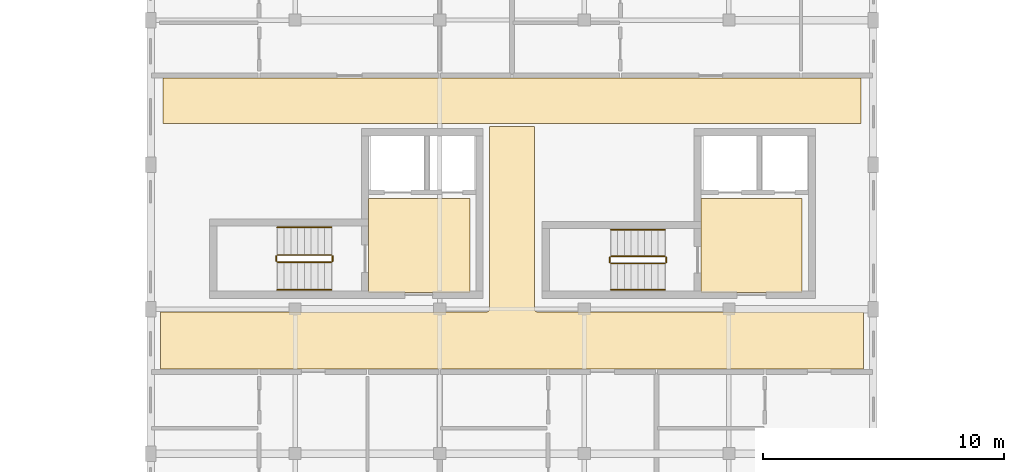
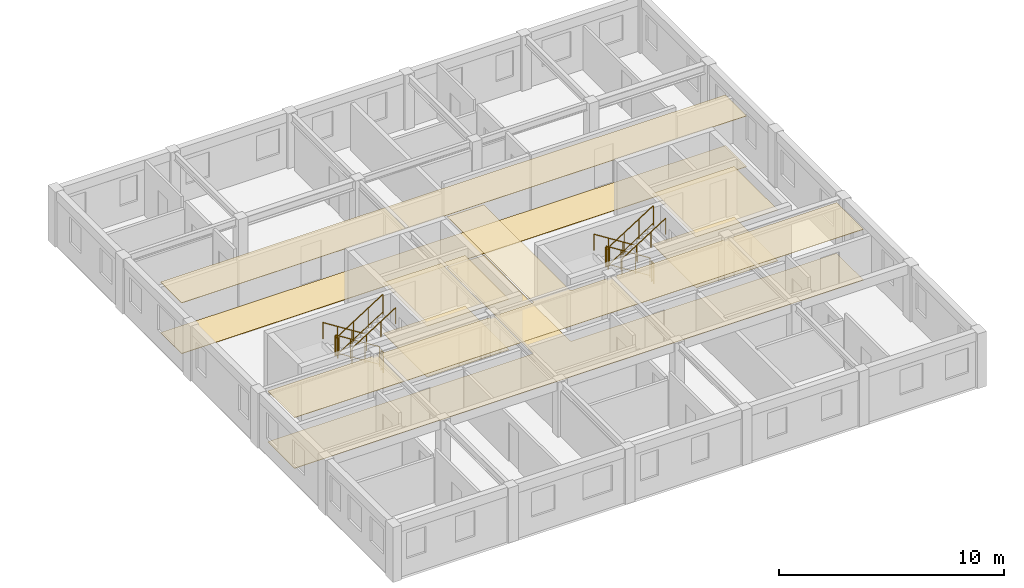
# One storey, part 21 of 23: 12 railings, 8 coverings.
"""IFC4 building model written with IfcOpenShell, lengths in metres."""

import ifcopenshell
import ifcopenshell.guid

model = None  # the IFC model being written
_history = None  # IfcOwnerHistory: only IFC2X3 demands one
_inside = {}  # id of a spatial element -> (the spatial element, [elements in it])
_under = {}  # id of a project, library or spatial element -> (it, [spatial elements below it])
_declared = {}  # id of a project -> (the project, [libraries it declares])
_typed = {}  # id of a type object -> (the type object, [elements of that type])
_made_of = {}  # id of a material, layer set ... -> (it, [elements and type objects made of it])


def new_model(schema):
    """Start an empty IFC model of exactly this schema.

    Asked for "IFC4X3", IfcOpenShell would pick the latest addendum, in which some entities
    have other attributes; the version numbers below select the first issue.
    IFC2X3 requires an IfcOwnerHistory on every rooted entity: one is made here for all.
    """
    global model, _history
    if schema == "IFC4X3":
        model = ifcopenshell.file(schema_version=(4, 3, 0, 0))
    else:
        model = ifcopenshell.file(schema=schema)
    _inside.clear()
    _under.clear()
    _declared.clear()
    _typed.clear()
    _made_of.clear()
    _history = None
    if model.schema == "IFC2X3":
        org = make("IfcOrganization", Name="unknown")
        user = make(
            "IfcPersonAndOrganization",
            ThePerson=make("IfcPerson", FamilyName="unknown"),
            TheOrganization=org,
        )
        app = make(
            "IfcApplication",
            ApplicationDeveloper=org,
            Version="unknown",
            ApplicationFullName="unknown",
            ApplicationIdentifier="unknown",
        )
        _history = make(
            "IfcOwnerHistory",
            OwningUser=user,
            OwningApplication=app,
            ChangeAction="ADDED",
            CreationDate=0,
        )
    return model


def make(cls, **values):
    """One entity of the class cls with the attributes given. An attribute that is None is left unset."""
    return model.create_entity(
        cls, **{name: value for name, value in values.items() if value is not None}
    )


def rooted(cls, **values):
    """An entity with a GlobalId (a new one), such as an element, a storey or a relation."""
    return make(cls, GlobalId=ifcopenshell.guid.new(), OwnerHistory=_history, **values)


def si_unit(unit_type, name, prefix=None):
    """IfcSIUnit, for example si_unit("LENGTHUNIT", "METRE", prefix="MILLI")."""
    return make("IfcSIUnit", UnitType=unit_type, Prefix=prefix, Name=name)


def assignment(units):
    """IfcUnitAssignment: the units of a project."""
    return None if units is None else make("IfcUnitAssignment", Units=units)


def point(xyz):
    """IfcCartesianPoint."""
    return None if xyz is None else make("IfcCartesianPoint", Coordinates=xyz)


def direction(xyz):
    """IfcDirection."""
    return None if xyz is None else make("IfcDirection", DirectionRatios=xyz)


def frame(location, z_axis=None, x_axis=None):
    """IfcAxis2Placement3D, a coordinate frame: its origin and axes. An axis left out is left unset."""
    return make(
        "IfcAxis2Placement3D",
        Location=point(location),
        Axis=direction(z_axis),
        RefDirection=direction(x_axis),
    )


def frame_2d(location, x_axis=None):
    """IfcAxis2Placement2D, a coordinate frame in the plane: its origin and x axis."""
    return make(
        "IfcAxis2Placement2D", Location=point(location), RefDirection=direction(x_axis)
    )


def origin():
    """The frame at (0, 0, 0) with its axes left unset."""
    return frame((0.0, 0.0, 0.0))


def origin_2d():
    """The frame at (0, 0) in the plane with its x axis left unset."""
    return frame_2d((0.0, 0.0))


def place(relative_to, where):
    """IfcLocalPlacement: puts the frame where relative to a parent placement (None: the world)."""
    return make(
        "IfcLocalPlacement", PlacementRelTo=relative_to, RelativePlacement=where
    )


def context(
    kind, dimensions, precision=None, world=None, true_north=None, identifier=None
):
    """IfcGeometricRepresentationContext, for example the 3D "Model" context."""
    return make(
        "IfcGeometricRepresentationContext",
        ContextIdentifier=identifier,
        ContextType=kind,
        CoordinateSpaceDimension=dimensions,
        Precision=precision,
        WorldCoordinateSystem=world,
        TrueNorth=true_north,
    )


def subcontext(parent, identifier, kind, view, scale=None):
    """IfcGeometricRepresentationSubContext, for example "Body" below "Model"."""
    return make(
        "IfcGeometricRepresentationSubContext",
        ContextIdentifier=identifier,
        ContextType=kind,
        ParentContext=parent,
        TargetScale=scale,
        TargetView=view,
    )


def project(units=None, contexts=None):
    """IfcProject with its units and contexts."""
    return rooted(
        "IfcProject",
        Name="project",
        RepresentationContexts=contexts,
        UnitsInContext=assignment(units),
    )


def spatial(cls, under=None, at=None, **own):
    """A site, building, storey or space (cls), placed at a placement, below another one or the project."""
    s = rooted(cls, ObjectPlacement=at, **own)
    if under is not None:
        _under.setdefault(under.id(), (under, []))[1].append(s)
    return s


def polyline(points):
    """IfcPolyline through the points."""
    return make("IfcPolyline", Points=[point(p) for p in points])


def profile(cls, at=None, kind="AREA", **sizes):
    """A parametric profile (cls). Its sizes go by their IFC names, for example OverallWidth=200.0."""
    return make(cls, ProfileType=kind, Position=at, **sizes)


def circle(**sizes):
    """IfcCircleProfileDef."""
    return profile("IfcCircleProfileDef", **sizes)


def outline(outer, holes=None, kind="AREA"):
    """IfcArbitraryClosedProfileDef: a profile drawn as a closed curve; with holes, ...WithVoids."""
    if holes is None:
        return make("IfcArbitraryClosedProfileDef", ProfileType=kind, OuterCurve=outer)
    return make(
        "IfcArbitraryProfileDefWithVoids",
        ProfileType=kind,
        OuterCurve=outer,
        InnerCurves=holes,
    )


def extrude(swept, where, along, depth):
    """IfcExtrudedAreaSolid: the profile swept, set in the frame where, extruded along a direction by depth."""
    return make(
        "IfcExtrudedAreaSolid",
        SweptArea=swept,
        Position=where,
        ExtrudedDirection=direction(along),
        Depth=depth,
    )


def shape(context_of_items, identifier, shape_type, items):
    """IfcShapeRepresentation: the items that make up one representation, for example the "Body"."""
    return make(
        "IfcShapeRepresentation",
        ContextOfItems=context_of_items,
        RepresentationIdentifier=identifier,
        RepresentationType=shape_type,
        Items=items,
    )


def material(Name=None, Category=None):
    """IfcMaterial."""
    return make("IfcMaterial", Name=Name, Category=Category)


def layer(
    of_material, thickness, ventilated=None, Name=None, Category=None, Priority=None
):
    """IfcMaterialLayer: one layer of a wall or slab, of a material (None: an air gap)."""
    return make(
        "IfcMaterialLayer",
        Material=of_material,
        LayerThickness=thickness,
        IsVentilated=ventilated,
        Name=Name,
        Category=Category,
        Priority=Priority,
    )


def layer_set(layers, Name=None):
    """IfcMaterialLayerSet."""
    return make("IfcMaterialLayerSet", MaterialLayers=layers, LayerSetName=Name)


def made_of(thing, what):
    """Note that an element or type object is made of a material, layer set ...; save() writes the relation."""
    if what is not None:
        _made_of.setdefault(what.id(), (what, []))[1].append(thing)
    return thing


def type_object(cls, material=None, **own):
    """A type object (cls), such as IfcWallType, which elements share."""
    return made_of(rooted(cls, **own), material)


def element(
    cls,
    number,
    at=None,
    inside=None,
    cuts=None,
    type_object=None,
    material=None,
    context=None,
    identifier="Body",
    shape_type=None,
    held_by="IfcProductDefinitionShape",
    body=None,
    shapes=None,
    **own,
):
    """One element of the class cls, such as IfcWall. Its Tag is "e" and its number.

    at: its placement. inside: the storey or other place that contains it. cuts: it is an
    opening in that element (IfcRelVoidsElement). A single representation is given by context,
    identifier, shape_type and body (its items); several are given by shapes. held_by: the class
    of the entity that holds the representations. save() writes the other relations.
    """
    e = rooted(cls, Tag="e%d" % number, ObjectPlacement=at, **own)
    if body is not None:
        shapes = [shape(context, identifier, shape_type, body)]
    if shapes is not None:
        e.Representation = make(held_by, Representations=shapes)
    if inside is not None:
        _inside.setdefault(inside.id(), (inside, []))[1].append(e)
    if cuts is not None:
        rooted(
            "IfcRelVoidsElement", RelatingBuildingElement=cuts, RelatedOpeningElement=e
        )
    if type_object is not None:
        _typed.setdefault(type_object.id(), (type_object, []))[1].append(e)
    return made_of(e, material)


def aggregate(whole, parts):
    """IfcRelAggregates: a whole, such as a stair, and the parts it consists of."""
    return rooted("IfcRelAggregates", RelatingObject=whole, RelatedObjects=parts)


def save(model, path):
    """Write the relations noted so far, then the file.

    IfcRelAggregates (storeys below a building ...), IfcRelContainedInSpatialStructure (elements
    in a storey), IfcRelDefinesByType, IfcRelAssociatesMaterial and IfcRelDeclares: one each for
    every whole, place, type object, material and project.
    """
    for whole, parts in _under.values():
        aggregate(whole, parts)
    for where, things in _inside.values():
        rooted(
            "IfcRelContainedInSpatialStructure",
            RelatedElements=things,
            RelatingStructure=where,
        )
    for kind, things in _typed.values():
        rooted("IfcRelDefinesByType", RelatedObjects=things, RelatingType=kind)
    for what, things in _made_of.values():
        rooted("IfcRelAssociatesMaterial", RelatedObjects=things, RelatingMaterial=what)
    for by, libraries in _declared.values():
        rooted("IfcRelDeclares", RelatingContext=by, RelatedDefinitions=libraries)
    model.write(path)


model = new_model("IFC4")

# Units and contexts
model_context = context("Model", 3, precision=1e-05, world=origin(), true_north=direction((0.0, 1.0)))
body_context = subcontext(model_context, "Body", "Model", "MODEL_VIEW")
ifc_project = project(units=[si_unit("LENGTHUNIT", "METRE"), si_unit("AREAUNIT", "SQUARE_METRE"), si_unit("VOLUMEUNIT", "CUBIC_METRE"), si_unit("PLANEANGLEUNIT", "RADIAN"), si_unit("MASSUNIT", "GRAM", prefix="KILO"), si_unit("POWERUNIT", "WATT"), si_unit("THERMODYNAMICTEMPERATUREUNIT", "KELVIN")], contexts=[model_context])

# Site, building, storey
site_placement = place(None, origin())
site = spatial("IfcSite", under=ifc_project, at=site_placement, CompositionType="ELEMENT")
building_placement = place(site_placement, origin())
building = spatial("IfcBuilding", under=site, at=building_placement, Name="Ruvembo Vaulted Housing Court", CompositionType="ELEMENT")
storey_placement = place(building_placement, frame((0.0, 0.0, 26.89990234375)))
storey = spatial("IfcBuildingStorey", under=building, at=storey_placement, Name="L08", CompositionType="ELEMENT", Elevation=26.89990234375)

# Coverings
ifc_material_1 = material(Name="Perforated Mineral-Fibre Acoustic Tile", Category="gypsum")
ifc_layer_1 = layer(ifc_material_1, 0.02001953125, Name="Perforated Mineral-Fibre Acoustic Tile")
ifc_layer_set_1 = layer_set([ifc_layer_1], Name="Perforated Mineral-Fibre Acoustic Tile")
covering_type_1 = type_object("IfcCoveringType", Name="COV-CEIL-ACOUST", PredefinedType="CEILING", material=ifc_layer_set_1)
covering_1_placement = place(storey_placement, frame((0.0, 0.0, 2.75)))
element("IfcCovering", 1, at=covering_1_placement, inside=storey, type_object=covering_type_1, Name="Protected Core Lobby C1 Ceiling", PredefinedType="CEILING", context=body_context, shape_type="SweptSolid", body=[
    extrude(outline(polyline([(115.25, 16.60009765625), (111.050048828125, 16.60009765625), (111.050048828125, 12.699951171875), (115.25, 12.699951171875), (115.25, 16.60009765625)])), origin(), (0.0, 0.0, 1.0), 0.02001953125),
])
covering_2_placement = place(storey_placement, frame((0.0, 0.0, 2.75)))
element("IfcCovering", 2, at=covering_2_placement, inside=storey, type_object=covering_type_1, Name="Protected Core Lobby C2 Ceiling", PredefinedType="CEILING", context=body_context, shape_type="SweptSolid", body=[
    extrude(outline(polyline([(129.050048828125, 16.60009765625), (124.85009765625, 16.60009765625), (124.85009765625, 12.699951171875), (129.050048828125, 12.699951171875), (129.050048828125, 16.60009765625)])), origin(), (0.0, 0.0, 1.0), 0.02001953125),
])
covering_3_placement = place(storey_placement, frame((0.0, 0.0, 2.75)))
element("IfcCovering", 3, at=covering_3_placement, inside=storey, type_object=covering_type_1, Name="Block C L08 Corridor Ceiling", PredefinedType="CEILING", context=body_context, shape_type="SweptSolid", body=[
    extrude(outline(polyline([(131.590087890625, 9.510009765625), (131.590087890625, 11.889892578125), (118.050048828125, 11.889892578125), (118.039306640625, 11.890380859375), (118.028564453125, 11.89208984375), (118.01806640625, 11.894775390625), (118.0078125, 11.8984375), (117.998046875, 11.903076171875), (117.989013671875, 11.908447265625), (117.980224609375, 11.9150390625), (117.97216796875, 11.922119140625), (117.965087890625, 11.93017578125), (117.95849609375, 11.93896484375), (117.952880859375, 11.947998046875), (117.948486328125, 11.9580078125), (117.944580078125, 11.968017578125), (117.942138671875, 11.978515625), (117.9404296875, 11.9892578125), (117.93994140625, 12.0), (117.93994140625, 19.590087890625), (116.06005859375, 19.590087890625), (116.06005859375, 12.0), (116.0595703125, 11.9892578125), (116.057861328125, 11.978515625), (116.055419921875, 11.968017578125), (116.051513671875, 11.9580078125), (116.047119140625, 11.947998046875), (116.04150390625, 11.93896484375), (116.034912109375, 11.93017578125), (116.02783203125, 11.922119140625), (116.019775390625, 11.9150390625), (116.010986328125, 11.908447265625), (116.001953125, 11.903076171875), (115.9921875, 11.8984375), (115.98193359375, 11.894775390625), (115.971435546875, 11.89208984375), (115.960693359375, 11.890380859375), (115.949951171875, 11.889892578125), (102.409912109375, 11.889892578125), (102.409912109375, 9.510009765625), (131.590087890625, 9.510009765625)])), origin(), (0.0, 0.0, 1.0), 0.02001953125),
])
covering_4_placement = place(storey_placement, frame((0.0, 0.0, 2.75)))
element("IfcCovering", 4, at=covering_4_placement, inside=storey, type_object=covering_type_1, Name="Block C L08 North Sub-Corridor Ceiling", PredefinedType="CEILING", context=body_context, shape_type="SweptSolid", body=[
    extrude(outline(polyline([(102.510009765625, 19.7099609375), (131.489990234375, 19.7099609375), (131.489990234375, 21.590087890625), (102.510009765625, 21.590087890625), (102.510009765625, 19.7099609375)])), origin(), (0.0, 0.0, 1.0), 0.02001953125),
])
ifc_material_2 = material(Name="Polished Cement-Aggregate Terrazzo", Category="stone")
ifc_layer_2 = layer(ifc_material_2, 0.02197265625, Name="Polished Cement-Aggregate Terrazzo")
ifc_layer_set_2 = layer_set([ifc_layer_2], Name="Polished Cement-Aggregate Terrazzo")
covering_type_2 = type_object("IfcCoveringType", Name="COV-FLR-CERAMIC", PredefinedType="FLOORING", material=ifc_layer_set_2)
covering_5_placement = place(storey_placement, origin())
element("IfcCovering", 5, at=covering_5_placement, inside=storey, type_object=covering_type_2, Name="Protected Core Lobby C1 Flooring", PredefinedType="FLOORING", context=body_context, shape_type="SweptSolid", body=[
    extrude(outline(polyline([(115.25, 16.60009765625), (111.050048828125, 16.60009765625), (111.050048828125, 12.699951171875), (115.25, 12.699951171875), (115.25, 16.60009765625)])), origin(), (0.0, 0.0, 1.0), 0.022216796875),
])
covering_6_placement = place(storey_placement, origin())
element("IfcCovering", 6, at=covering_6_placement, inside=storey, type_object=covering_type_2, Name="Protected Core Lobby C2 Flooring", PredefinedType="FLOORING", context=body_context, shape_type="SweptSolid", body=[
    extrude(outline(polyline([(129.050048828125, 16.60009765625), (124.85009765625, 16.60009765625), (124.85009765625, 12.699951171875), (129.050048828125, 12.699951171875), (129.050048828125, 16.60009765625)])), origin(), (0.0, 0.0, 1.0), 0.022216796875),
])
covering_7_placement = place(storey_placement, origin())
element("IfcCovering", 7, at=covering_7_placement, inside=storey, type_object=covering_type_2, Name="Block C L08 Corridor Flooring", PredefinedType="FLOORING", context=body_context, shape_type="SweptSolid", body=[
    extrude(outline(polyline([(131.590087890625, 9.510009765625), (131.590087890625, 11.889892578125), (118.050048828125, 11.889892578125), (118.039306640625, 11.890380859375), (118.028564453125, 11.89208984375), (118.01806640625, 11.894775390625), (118.0078125, 11.8984375), (117.998046875, 11.903076171875), (117.989013671875, 11.908447265625), (117.980224609375, 11.9150390625), (117.97216796875, 11.922119140625), (117.965087890625, 11.93017578125), (117.95849609375, 11.93896484375), (117.952880859375, 11.947998046875), (117.948486328125, 11.9580078125), (117.944580078125, 11.968017578125), (117.942138671875, 11.978515625), (117.9404296875, 11.9892578125), (117.93994140625, 12.0), (117.93994140625, 19.590087890625), (116.06005859375, 19.590087890625), (116.06005859375, 12.0), (116.0595703125, 11.9892578125), (116.057861328125, 11.978515625), (116.055419921875, 11.968017578125), (116.051513671875, 11.9580078125), (116.047119140625, 11.947998046875), (116.04150390625, 11.93896484375), (116.034912109375, 11.93017578125), (116.02783203125, 11.922119140625), (116.019775390625, 11.9150390625), (116.010986328125, 11.908447265625), (116.001953125, 11.903076171875), (115.9921875, 11.8984375), (115.98193359375, 11.894775390625), (115.971435546875, 11.89208984375), (115.960693359375, 11.890380859375), (115.949951171875, 11.889892578125), (102.409912109375, 11.889892578125), (102.409912109375, 9.510009765625), (131.590087890625, 9.510009765625)])), origin(), (0.0, 0.0, 1.0), 0.022216796875),
])
covering_8_placement = place(storey_placement, origin())
element("IfcCovering", 8, at=covering_8_placement, inside=storey, type_object=covering_type_2, Name="Block C L08 North Sub-Corridor Flooring", PredefinedType="FLOORING", context=body_context, shape_type="SweptSolid", body=[
    extrude(outline(polyline([(102.510009765625, 19.7099609375), (131.489990234375, 19.7099609375), (131.489990234375, 21.590087890625), (102.510009765625, 21.590087890625), (102.510009765625, 19.7099609375)])), origin(), (0.0, 0.0, 1.0), 0.022216796875),
])

# Railings
ifc_material_3 = material(Name="Painted Galvanised Steel S275", Category="steel")
ifc_layer_3 = layer(ifc_material_3, 0.06005859375, Name="Painted Galvanised Steel S275")
ifc_layer_set_3 = layer_set([ifc_layer_3], Name="Painted Galvanised Steel S275")
railing_type_1 = type_object("IfcRailingType", Name="RL-STAIR-GR1100", PredefinedType="GUARDRAIL", material=ifc_layer_set_3)
railing_1_placement = place(storey_placement, frame((109.5, 14.25, 0.177978515625)))
element("IfcRailing", 9, at=railing_1_placement, inside=storey, type_object=railing_type_1, Name="L08 ST-C1 stair guard 1", PredefinedType="GUARDRAIL", context=body_context, shape_type="SweptSolid", body=[
    extrude(circle(Radius=0.02392578125, at=origin_2d()), frame((0.0, 0.0, 1.076171875), z_axis=(-0.8442293374, 0.0, 0.53598211339), x_axis=(0.0, -1.0, 0.0)), (0.0, 0.0, 1.0), 2.6533203125),
    extrude(circle(Radius=0.01806640625, at=origin_2d()), frame((0.0, 0.0, 0.1201171875), z_axis=(-0.8442293374, 0.0, 0.53598211339), x_axis=(0.0, -1.0, 0.0)), (0.0, 0.0, 1.0), 2.6533203125),
    extrude(circle(Radius=0.02099609375, at=origin_2d()), origin(), (0.0, 0.0, 1.0), 1.052001953125),
    extrude(circle(Radius=0.02099609375, at=origin_2d()), frame((-0.74658203125, 0.0, 0.47412109375)), (0.0, 0.0, 1.0), 1.052001953125),
    extrude(circle(Radius=0.02099609375, at=origin_2d()), frame((-1.493408203125, 0.0, 0.947998046875)), (0.0, 0.0, 1.0), 1.052001953125),
    extrude(circle(Radius=0.02099609375, at=origin_2d()), frame((-2.239990234375, 0.0, 1.422119140625)), (0.0, 0.0, 1.0), 1.052001953125),
])
railing_2_placement = place(storey_placement, frame((107.2099609375, 14.199951171875, 1.60009765625)))
element("IfcRailing", 10, at=railing_2_placement, inside=storey, type_object=railing_type_1, Name="L08 ST-C1 stair guard 2", PredefinedType="GUARDRAIL", context=body_context, shape_type="SweptSolid", body=[
    extrude(circle(Radius=0.02392578125, at=origin_2d()), frame((0.0, 0.0, 1.076171875), z_axis=(0.0, -1.0, 0.0), x_axis=(1.0, 0.0, 0.0)), (0.0, 0.0, 1.0), 0.199951171875),
    extrude(circle(Radius=0.01806640625, at=origin_2d()), frame((0.0, 0.0, 0.1201171875), z_axis=(0.0, -1.0, 0.0), x_axis=(1.0, 0.0, 0.0)), (0.0, 0.0, 1.0), 0.199951171875),
    extrude(circle(Radius=0.02099609375, at=origin_2d()), origin(), (0.0, 0.0, 1.0), 1.052001953125),
    extrude(circle(Radius=0.02099609375, at=origin_2d()), frame((0.0, -0.199951171875, 0.0)), (0.0, 0.0, 1.0), 1.052001953125),
])
railing_3_placement = place(storey_placement, frame((107.260009765625, 13.949951171875, 1.77783203125)))
element("IfcRailing", 11, at=railing_3_placement, inside=storey, type_object=railing_type_1, Name="L08 ST-C1 stair guard 3", PredefinedType="GUARDRAIL", context=body_context, shape_type="SweptSolid", body=[
    extrude(circle(Radius=0.02392578125, at=origin_2d()), frame((0.0, 0.0, 1.076171875), z_axis=(0.84418770128, 0.0, 0.536047689118), x_axis=(0.0, 1.0, 0.0)), (0.0, 0.0, 1.0), 2.6533203125),
    extrude(circle(Radius=0.01806640625, at=origin_2d()), frame((0.0, 0.0, 0.1201171875), z_axis=(0.84418770128, 0.0, 0.536047689118), x_axis=(0.0, 1.0, 0.0)), (0.0, 0.0, 1.0), 2.6533203125),
    extrude(circle(Radius=0.02099609375, at=origin_2d()), origin(), (0.0, 0.0, 1.0), 1.052001953125),
    extrude(circle(Radius=0.02099609375, at=origin_2d()), frame((0.74658203125, 0.0, 0.47412109375)), (0.0, 0.0, 1.0), 1.052001953125),
    extrude(circle(Radius=0.02099609375, at=origin_2d()), frame((1.493408203125, 0.0, 0.9482421875)), (0.0, 0.0, 1.0), 1.052001953125),
    extrude(circle(Radius=0.02099609375, at=origin_2d()), frame((2.239990234375, 0.0, 1.42236328125)), (0.0, 0.0, 1.0), 1.052001953125),
])
railing_4_placement = place(storey_placement, frame((109.550048828125, 14.199951171875, 0.0)))
element("IfcRailing", 12, at=railing_4_placement, inside=storey, type_object=railing_type_1, Name="L08 ST-C1 stair guard 4", PredefinedType="GUARDRAIL", context=body_context, shape_type="SweptSolid", body=[
    extrude(circle(Radius=0.02392578125, at=origin_2d()), frame((0.0, 0.0, 1.076171875), z_axis=(0.0, -1.0, 0.0), x_axis=(1.0, 0.0, 0.0)), (0.0, 0.0, 1.0), 0.199951171875),
    extrude(circle(Radius=0.01806640625, at=origin_2d()), frame((0.0, 0.0, 0.1201171875), z_axis=(0.0, -1.0, 0.0), x_axis=(1.0, 0.0, 0.0)), (0.0, 0.0, 1.0), 0.199951171875),
    extrude(circle(Radius=0.02099609375, at=origin_2d()), origin(), (0.0, 0.0, 1.0), 1.052001953125),
    extrude(circle(Radius=0.02099609375, at=origin_2d()), frame((0.0, -0.199951171875, 0.0)), (0.0, 0.0, 1.0), 1.052001953125),
])
railing_5_placement = place(storey_placement, frame((123.35009765625, 14.199951171875, 0.177978515625)))
element("IfcRailing", 13, at=railing_5_placement, inside=storey, type_object=railing_type_1, Name="L08 ST-C2 stair guard 1", PredefinedType="GUARDRAIL", context=body_context, shape_type="SweptSolid", body=[
    extrude(circle(Radius=0.02392578125, at=origin_2d()), frame((0.0, 0.0, 1.076171875), z_axis=(-0.8442293374, 0.0, 0.53598211339), x_axis=(0.0, -1.0, 0.0)), (0.0, 0.0, 1.0), 2.6533203125),
    extrude(circle(Radius=0.01806640625, at=origin_2d()), frame((0.0, 0.0, 0.1201171875), z_axis=(-0.8442293374, 0.0, 0.53598211339), x_axis=(0.0, -1.0, 0.0)), (0.0, 0.0, 1.0), 2.6533203125),
    extrude(circle(Radius=0.02099609375, at=origin_2d()), origin(), (0.0, 0.0, 1.0), 1.052001953125),
    extrude(circle(Radius=0.02099609375, at=origin_2d()), frame((-0.74658203125, 0.0, 0.47412109375)), (0.0, 0.0, 1.0), 1.052001953125),
    extrude(circle(Radius=0.02099609375, at=origin_2d()), frame((-1.493408203125, 0.0, 0.947998046875)), (0.0, 0.0, 1.0), 1.052001953125),
    extrude(circle(Radius=0.02099609375, at=origin_2d()), frame((-2.239990234375, 0.0, 1.422119140625)), (0.0, 0.0, 1.0), 1.052001953125),
])
railing_6_placement = place(storey_placement, frame((121.06005859375, 14.14990234375, 1.60009765625)))
element("IfcRailing", 14, at=railing_6_placement, inside=storey, type_object=railing_type_1, Name="L08 ST-C2 stair guard 2", PredefinedType="GUARDRAIL", context=body_context, shape_type="SweptSolid", body=[
    extrude(circle(Radius=0.02392578125, at=origin_2d()), frame((0.0, 0.0, 1.076171875), z_axis=(0.0, -1.0, 0.0), x_axis=(1.0, 0.0, 0.0)), (0.0, 0.0, 1.0), 0.199951171875),
    extrude(circle(Radius=0.01806640625, at=origin_2d()), frame((0.0, 0.0, 0.1201171875), z_axis=(0.0, -1.0, 0.0), x_axis=(1.0, 0.0, 0.0)), (0.0, 0.0, 1.0), 0.199951171875),
    extrude(circle(Radius=0.02099609375, at=origin_2d()), origin(), (0.0, 0.0, 1.0), 1.052001953125),
    extrude(circle(Radius=0.02099609375, at=origin_2d()), frame((0.0, -0.199951171875, 0.0)), (0.0, 0.0, 1.0), 1.052001953125),
])
railing_7_placement = place(storey_placement, frame((121.110107421875, 13.89990234375, 1.77783203125)))
element("IfcRailing", 15, at=railing_7_placement, inside=storey, type_object=railing_type_1, Name="L08 ST-C2 stair guard 3", PredefinedType="GUARDRAIL", context=body_context, shape_type="SweptSolid", body=[
    extrude(circle(Radius=0.02392578125, at=origin_2d()), frame((0.0, 0.0, 1.076171875), z_axis=(0.84418770128, 0.0, 0.536047689118), x_axis=(0.0, 1.0, 0.0)), (0.0, 0.0, 1.0), 2.6533203125),
    extrude(circle(Radius=0.01806640625, at=origin_2d()), frame((0.0, 0.0, 0.1201171875), z_axis=(0.84418770128, 0.0, 0.536047689118), x_axis=(0.0, 1.0, 0.0)), (0.0, 0.0, 1.0), 2.6533203125),
    extrude(circle(Radius=0.02099609375, at=origin_2d()), origin(), (0.0, 0.0, 1.0), 1.052001953125),
    extrude(circle(Radius=0.02099609375, at=origin_2d()), frame((0.74658203125, 0.0, 0.47412109375)), (0.0, 0.0, 1.0), 1.052001953125),
    extrude(circle(Radius=0.02099609375, at=origin_2d()), frame((1.493408203125, 0.0, 0.9482421875)), (0.0, 0.0, 1.0), 1.052001953125),
    extrude(circle(Radius=0.02099609375, at=origin_2d()), frame((2.239990234375, 0.0, 1.42236328125)), (0.0, 0.0, 1.0), 1.052001953125),
])
railing_8_placement = place(storey_placement, frame((123.39990234375, 14.14990234375, 0.0)))
element("IfcRailing", 16, at=railing_8_placement, inside=storey, type_object=railing_type_1, Name="L08 ST-C2 stair guard 4", PredefinedType="GUARDRAIL", context=body_context, shape_type="SweptSolid", body=[
    extrude(circle(Radius=0.02392578125, at=origin_2d()), frame((0.0, 0.0, 1.076171875), z_axis=(0.0, -1.0, 0.0), x_axis=(1.0, 0.0, 0.0)), (0.0, 0.0, 1.0), 0.199951171875),
    extrude(circle(Radius=0.01806640625, at=origin_2d()), frame((0.0, 0.0, 0.1201171875), z_axis=(0.0, -1.0, 0.0), x_axis=(1.0, 0.0, 0.0)), (0.0, 0.0, 1.0), 0.199951171875),
    extrude(circle(Radius=0.02099609375, at=origin_2d()), origin(), (0.0, 0.0, 1.0), 1.052001953125),
    extrude(circle(Radius=0.02099609375, at=origin_2d()), frame((0.0, -0.199951171875, 0.0)), (0.0, 0.0, 1.0), 1.052001953125),
])
ifc_material_4 = material(Name="Brushed Stainless Steel 304", Category="steel")
ifc_layer_4 = layer(ifc_material_4, 0.050048828125, Name="Brushed Stainless Steel 304")
ifc_layer_set_4 = layer_set([ifc_layer_4], Name="Brushed Stainless Steel 304")
railing_type_2 = type_object("IfcRailingType", Name="RL-STAIR-HR920", PredefinedType="HANDRAIL", material=ifc_layer_set_4)
railing_9_placement = place(storey_placement, frame((109.5, 15.39990234375, 0.359375)))
element("IfcRailing", 17, at=railing_9_placement, inside=storey, type_object=railing_type_2, Name="L08 ST-C1 stair handrail 1", PredefinedType="HANDRAIL", context=body_context, shape_type="SweptSolid", body=[
    extrude(circle(Radius=0.02392578125, at=origin_2d()), frame((0.0, 0.0, 0.8759765625), z_axis=(-0.8442293374, 0.0, 0.53598211339), x_axis=(0.0, -1.0, 0.0)), (0.0, 0.0, 1.0), 2.6533203125),
    extrude(circle(Radius=0.02099609375, at=origin_2d()), origin(), (0.0, 0.0, 1.0), 0.851806640625),
    extrude(circle(Radius=0.02099609375, at=origin_2d()), frame((-0.74658203125, 0.0, 0.47412109375)), (0.0, 0.0, 1.0), 0.851806640625),
    extrude(circle(Radius=0.02099609375, at=origin_2d()), frame((-1.493408203125, 0.0, 0.947998046875)), (0.0, 0.0, 1.0), 0.851806640625),
    extrude(circle(Radius=0.02099609375, at=origin_2d()), frame((-2.239990234375, 0.0, 1.422119140625)), (0.0, 0.0, 1.0), 0.851806640625),
])
railing_10_placement = place(storey_placement, frame((107.260009765625, 12.800048828125, 1.95947265625)))
element("IfcRailing", 18, at=railing_10_placement, inside=storey, type_object=railing_type_2, Name="L08 ST-C1 stair handrail 2", PredefinedType="HANDRAIL", context=body_context, shape_type="SweptSolid", body=[
    extrude(circle(Radius=0.02392578125, at=origin_2d()), frame((0.0, 0.0, 0.8759765625), z_axis=(0.8442293374, 0.0, 0.53598211339), x_axis=(0.0, 1.0, 0.0)), (0.0, 0.0, 1.0), 2.6533203125),
    extrude(circle(Radius=0.02099609375, at=origin_2d()), origin(), (0.0, 0.0, 1.0), 0.851806640625),
    extrude(circle(Radius=0.02099609375, at=origin_2d()), frame((0.74658203125, 0.0, 0.47412109375)), (0.0, 0.0, 1.0), 0.851806640625),
    extrude(circle(Radius=0.02099609375, at=origin_2d()), frame((1.493408203125, 0.0, 0.947998046875)), (0.0, 0.0, 1.0), 0.851806640625),
    extrude(circle(Radius=0.02099609375, at=origin_2d()), frame((2.239990234375, 0.0, 1.422119140625)), (0.0, 0.0, 1.0), 0.851806640625),
])
railing_11_placement = place(storey_placement, frame((123.35009765625, 15.300048828125, 0.359375)))
element("IfcRailing", 19, at=railing_11_placement, inside=storey, type_object=railing_type_2, Name="L08 ST-C2 stair handrail 1", PredefinedType="HANDRAIL", context=body_context, shape_type="SweptSolid", body=[
    extrude(circle(Radius=0.02392578125, at=origin_2d()), frame((0.0, 0.0, 0.8759765625), z_axis=(-0.8442293374, 0.0, 0.53598211339), x_axis=(0.0, -1.0, 0.0)), (0.0, 0.0, 1.0), 2.6533203125),
    extrude(circle(Radius=0.02099609375, at=origin_2d()), origin(), (0.0, 0.0, 1.0), 0.851806640625),
    extrude(circle(Radius=0.02099609375, at=origin_2d()), frame((-0.74658203125, 0.0, 0.47412109375)), (0.0, 0.0, 1.0), 0.851806640625),
    extrude(circle(Radius=0.02099609375, at=origin_2d()), frame((-1.493408203125, 0.0, 0.947998046875)), (0.0, 0.0, 1.0), 0.851806640625),
    extrude(circle(Radius=0.02099609375, at=origin_2d()), frame((-2.239990234375, 0.0, 1.422119140625)), (0.0, 0.0, 1.0), 0.851806640625),
])
railing_12_placement = place(storey_placement, frame((121.110107421875, 12.800048828125, 1.95947265625)))
element("IfcRailing", 20, at=railing_12_placement, inside=storey, type_object=railing_type_2, Name="L08 ST-C2 stair handrail 2", PredefinedType="HANDRAIL", context=body_context, shape_type="SweptSolid", body=[
    extrude(circle(Radius=0.02392578125, at=origin_2d()), frame((0.0, 0.0, 0.8759765625), z_axis=(0.8442293374, 0.0, 0.53598211339), x_axis=(0.0, 1.0, 0.0)), (0.0, 0.0, 1.0), 2.6533203125),
    extrude(circle(Radius=0.02099609375, at=origin_2d()), origin(), (0.0, 0.0, 1.0), 0.851806640625),
    extrude(circle(Radius=0.02099609375, at=origin_2d()), frame((0.74658203125, 0.0, 0.47412109375)), (0.0, 0.0, 1.0), 0.851806640625),
    extrude(circle(Radius=0.02099609375, at=origin_2d()), frame((1.493408203125, 0.0, 0.947998046875)), (0.0, 0.0, 1.0), 0.851806640625),
    extrude(circle(Radius=0.02099609375, at=origin_2d()), frame((2.239990234375, 0.0, 1.422119140625)), (0.0, 0.0, 1.0), 0.851806640625),
])

save(model, "model.ifc")
